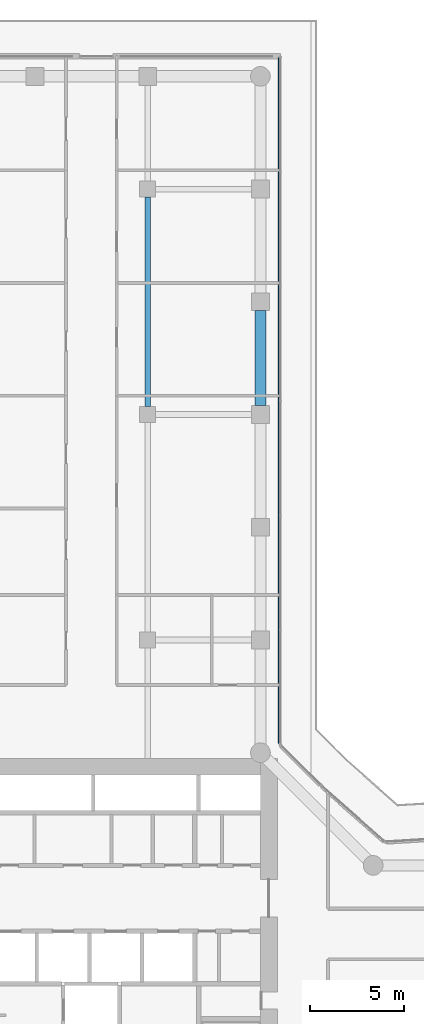
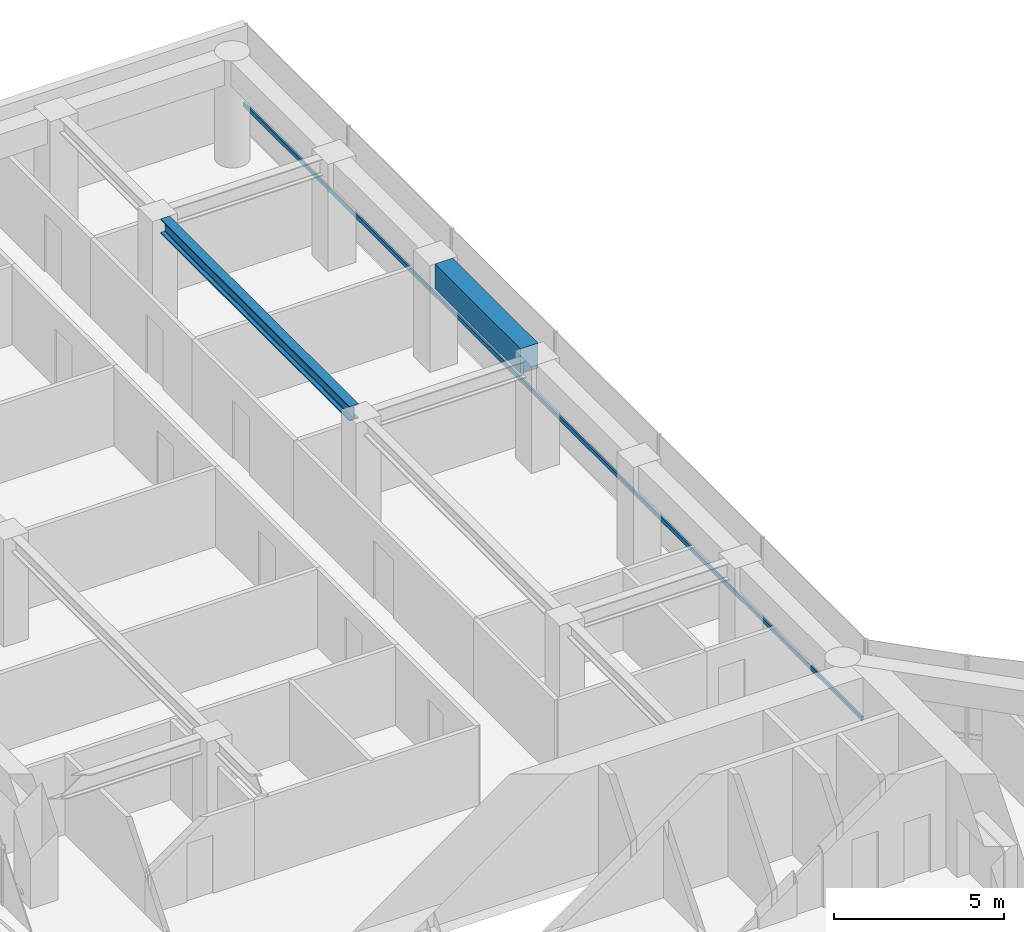
# One storey, part 18 of 29: 2 beams, 1 member, 1 element without a shape of its own.
"""IFC4 building model written with IfcOpenShell, lengths in metres."""

from ifc_helpers import new_model, si_unit, direction, frame, origin, origin_2d, place, context, subcontext, project, spatial, rectangle, i_section, extrude, material, layer, layer_set, material_profile, profile_set, type_object, element, aggregate, save


model = new_model("IFC4")

# Units and contexts
model_context = context("Model", 3, precision=1e-05, world=origin(), true_north=direction((0.0, 1.0)))
body_context = subcontext(model_context, "Body", "Model", "MODEL_VIEW")
ifc_project = project(units=[si_unit("LENGTHUNIT", "METRE"), si_unit("AREAUNIT", "SQUARE_METRE"), si_unit("VOLUMEUNIT", "CUBIC_METRE"), si_unit("PLANEANGLEUNIT", "RADIAN"), si_unit("MASSUNIT", "GRAM", prefix="KILO")], contexts=[model_context])

# Site, building, storey
site_placement = place(None, origin())
site = spatial("IfcSite", under=ifc_project, at=site_placement, CompositionType="ELEMENT")
building_placement = place(site_placement, origin())
building = spatial("IfcBuilding", under=site, at=building_placement, Name="Welwitschia Terrace Campus", CompositionType="ELEMENT")
storey_placement = place(building_placement, frame((0.0, 0.0, 66.800048828125)))
storey = spatial("IfcBuildingStorey", under=building, at=storey_placement, Name="L15", CompositionType="ELEMENT", Elevation=66.800048828125)

# Beams
ifc_material_1 = material(Name="Steel S355", Category="steel")
ifc_material_profile_1 = material_profile(ifc_material_1, i_section(OverallWidth=0.305908203125, OverallDepth=0.52392578125, WebThickness=0.02099609375, FlangeThickness=0.0400390625, FilletRadius=0.027099609375, at=origin_2d()))
ifc_profile_set_1 = profile_set([ifc_material_profile_1], Name="Steel S355")
beam_type_1 = type_object("IfcBeamType", Name="Interior girder HE 500 M", PredefinedType="BEAM", material=ifc_profile_set_1)
beam_1_placement = place(storey_placement, frame((18.0, 44.425537109375, 3.587890625), z_axis=(0.0, 1.0, 0.0), x_axis=(-1.0, 0.0, 0.0)))
element("IfcBeam", 1, at=beam_1_placement, inside=storey, type_object=beam_type_1, Name="Girder GB2", PredefinedType="BEAM", context=body_context, shape_type="SweptSolid", body=[
    extrude(i_section(OverallWidth=0.305908203125, OverallDepth=0.52392578125, WebThickness=0.02099609375, FlangeThickness=0.0400390625, FilletRadius=0.027099609375, at=origin_2d()), origin(), (0.0, 0.0, 1.0), 11.14892578125),
])
ifc_material_2 = material(Name="Concrete C60/75", Category="concrete")
ifc_material_profile_2 = material_profile(ifc_material_2, rectangle(XDim=0.60009765625, YDim=0.89990234375, at=origin_2d()))
ifc_profile_set_2 = profile_set([ifc_material_profile_2], Name="Concrete C60/75")
beam_type_2 = type_object("IfcBeamType", Name="Ring spandrel 600x900", PredefinedType="SPANDREL", material=ifc_profile_set_2)
beam_2_placement = place(storey_placement, frame((24.0, 44.4755859375, 3.39990234375), z_axis=(0.0, 1.0, 0.0), x_axis=(-1.0, 0.0, 0.0)))
element("IfcBeam", 2, at=beam_2_placement, inside=storey, type_object=beam_type_2, Name="Spandrel SP2", PredefinedType="SPANDREL", context=body_context, shape_type="SweptSolid", body=[
    extrude(rectangle(XDim=0.60009765625, YDim=0.89990234375, at=origin_2d()), origin(), (0.0, 0.0, 1.0), 5.048828125),
])

# Curtain wall, member
ifc_material_3 = material(Name="Bronze anodised aluminium", Category="aluminium")
ifc_layer = layer(ifc_material_3, 0.1201171875)
ifc_layer_set = layer_set([ifc_layer], Name="Bronze anodised aluminium")
curtain_wall_type = type_object("IfcCurtainWallType", Name="Curtain wall CW2 tower 6000", PredefinedType="NOTDEFINED", material=ifc_layer_set)
curtain_wall_placement = place(storey_placement, origin())
curtain_wall = element("IfcCurtainWall", 3, at=curtain_wall_placement, inside=storey, type_object=curtain_wall_type, Name="CW L15.10.0", PredefinedType="NOTDEFINED")
ifc_material_4 = material(Name="Bronze anodised aluminium", Category="aluminium")
ifc_material_profile_3 = material_profile(ifc_material_4, rectangle(XDim=0.06005859375, YDim=0.14990234375, at=origin_2d()))
ifc_profile_set_3 = profile_set([ifc_material_profile_3], Name="Bronze anodised aluminium")
member_type = type_object("IfcMemberType", Name="Transom 60x150", PredefinedType="USERDEFINED", material=ifc_profile_set_3)
member_placement = place(storey_placement, frame((24.968017578125, 26.498291015625, 1.0), z_axis=(0.0, 1.0, 0.0), x_axis=(-1.0, 0.0, 0.0)))
member = element("IfcMember", 4, at=member_placement, type_object=member_type, Name="Transom L15.10.0", ObjectType="TRANSOM", PredefinedType="USERDEFINED", context=body_context, shape_type="SweptSolid", body=[
    extrude(rectangle(XDim=0.06005859375, YDim=0.14990234375, at=origin_2d()), origin(), (0.0, 0.0, 1.0), 36.499755859375),
])
aggregate(curtain_wall, [member])

save(model, "model.ifc")
